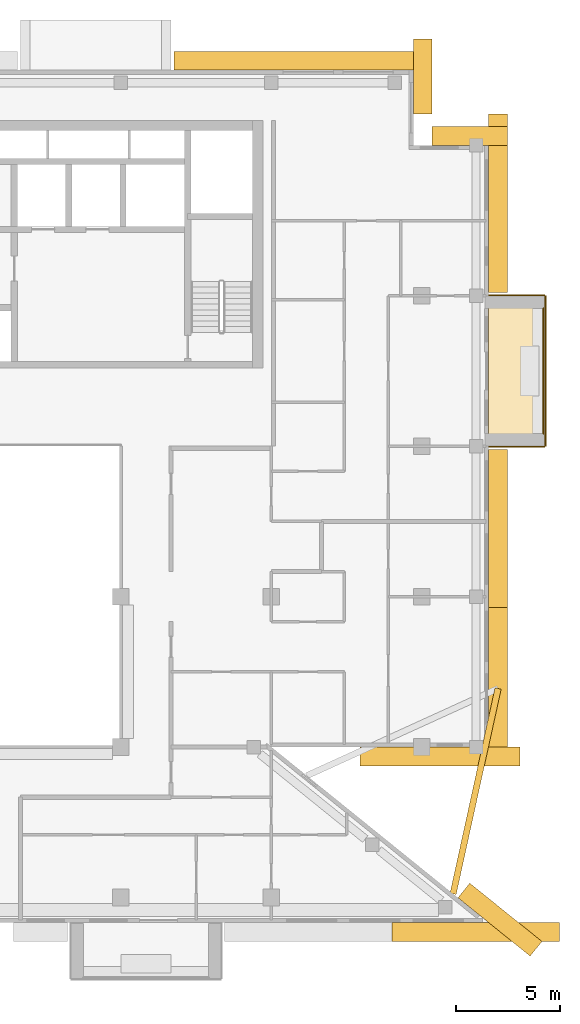
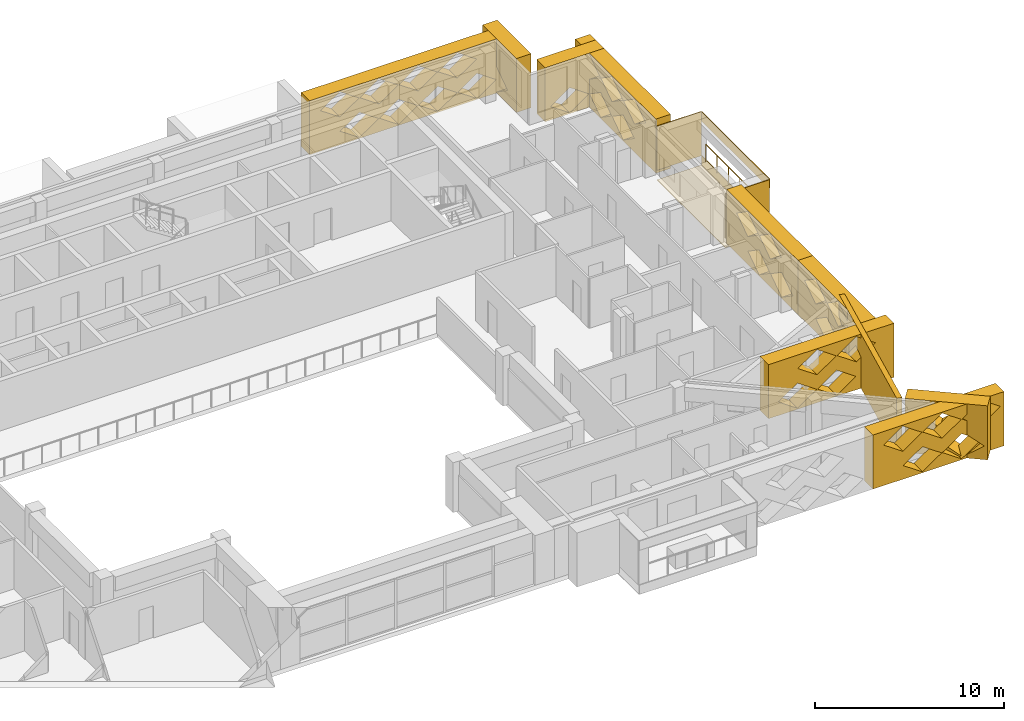
# One storey, part 19 of 19: 15 coverings, 1 railing.
"""IFC4 building model written with IfcOpenShell, lengths in metres."""

from ifc_helpers import new_model, si_unit, direction, frame, origin, origin_2d, place, context, subcontext, project, spatial, polyline, circle, outline, extrude, material, layer, layer_set, type_object, element, save


model = new_model("IFC4")

# Units and contexts
model_context = context("Model", 3, precision=1e-05, world=origin(), true_north=direction((0.0, 1.0)))
body_context = subcontext(model_context, "Body", "Model", "MODEL_VIEW")
ifc_project = project(units=[si_unit("LENGTHUNIT", "METRE"), si_unit("AREAUNIT", "SQUARE_METRE"), si_unit("VOLUMEUNIT", "CUBIC_METRE"), si_unit("PLANEANGLEUNIT", "RADIAN"), si_unit("MASSUNIT", "GRAM", prefix="KILO")], contexts=[model_context])

# Site, building, storey
site_placement = place(None, origin())
site = spatial("IfcSite", under=ifc_project, at=site_placement, CompositionType="ELEMENT")
building_placement = place(site_placement, origin())
building = spatial("IfcBuilding", under=site, at=building_placement, Name="Saffron Iwan Residences", CompositionType="ELEMENT")
storey_placement = place(building_placement, frame((0.0, 0.0, 250.0)))
storey = spatial("IfcBuildingStorey", under=building, at=storey_placement, Name="L67", CompositionType="ELEMENT", Elevation=250.0)

# Railing
ifc_material_1 = material(Name="Stainless steel 316", Category="steel")
railing_type = type_object("IfcRailingType", Name="BALCONY GUARD 1150", PredefinedType="GUARDRAIL", material=ifc_material_1)
railing_placement = place(storey_placement, frame((85.02490234375, 63.0, 0.0)))
element("IfcRailing", 1, at=railing_placement, inside=storey, type_object=railing_type, Name="Balcony guard L67 F2-0", PredefinedType="GUARDRAIL", context=body_context, shape_type="SweptSolid", body=[
    extrude(circle(Radius=0.02392578125, at=origin_2d()), frame((0.0, 0.0, 1.1259765625), z_axis=(0.0, 1.0, 0.0), x_axis=(-1.0, 0.0, 0.0)), (0.0, 0.0, 1.0), 6.0),
    extrude(circle(Radius=0.02099609375, at=origin_2d()), origin(), (0.0, 0.0, 1.0), 1.101806640625),
    extrude(circle(Radius=0.02099609375, at=origin_2d()), frame((0.0, 1.199951171875, 0.0)), (0.0, 0.0, 1.0), 1.101806640625),
    extrude(circle(Radius=0.02099609375, at=origin_2d()), frame((0.0, 2.39990234375, 0.0)), (0.0, 0.0, 1.0), 1.101806640625),
    extrude(circle(Radius=0.02099609375, at=origin_2d()), frame((0.0, 3.60009765625, 0.0)), (0.0, 0.0, 1.0), 1.101806640625),
    extrude(circle(Radius=0.02099609375, at=origin_2d()), frame((0.0, 4.800048828125, 0.0)), (0.0, 0.0, 1.0), 1.101806640625),
    extrude(circle(Radius=0.02099609375, at=origin_2d()), frame((0.0, 6.0, 0.0)), (0.0, 0.0, 1.0), 1.101806640625),
])

# Coverings
ifc_material_2 = material(Name="Precast concrete C40/50 white painted", Category="concrete")
ifc_layer_1 = layer(ifc_material_2, 0.050048828125)
ifc_layer_set_1 = layer_set([ifc_layer_1], Name="Precast concrete C40/50 white painted")
covering_type_1 = type_object("IfcCoveringType", Name="FRAME SKIN PRECAST WHITE 50", PredefinedType="CLADDING", material=ifc_layer_set_1)
for number, where, name in (
    (2, (0.0, 0.0, -0.60009765625), "Frame skin slab edge L67 F2-0"),
    (3, (0.0, 0.0, 2.25), "Frame skin fascia L67 F2-0"),
):
    element("IfcCovering", number, at=place(storey_placement, frame(where)), inside=storey, type_object=covering_type_1, Name=name, PredefinedType="CLADDING", context=body_context, shape_type="SweptSolid", body=[
        extrude(outline(polyline([(85.14990234375, 62.39990234375), (85.14990234375, 69.60009765625), (85.10009765625, 69.60009765625), (85.10009765625, 62.39990234375), (85.14990234375, 62.39990234375)])), origin(), (0.0, 0.0, 1.0), 0.60009765625),
    ])
covering_1_placement = place(storey_placement, frame((0.0, 0.0, -0.64990234375)))
element("IfcCovering", 4, at=covering_1_placement, inside=storey, type_object=covering_type_1, Name="Frame skin soffit L67 F2-0", PredefinedType="CLADDING", context=body_context, shape_type="SweptSolid", body=[
    extrude(outline(polyline([(85.10009765625, 62.39990234375), (85.10009765625, 69.60009765625), (82.39990234375, 69.60009765625), (82.39990234375, 62.39990234375), (85.10009765625, 62.39990234375)])), origin(), (0.0, 0.0, 1.0), 0.0498046875),
])
covering_2_placement = place(storey_placement, origin())
element("IfcCovering", 5, at=covering_2_placement, inside=storey, type_object=covering_type_1, Name="Frame skin fin L67 F2-0a", PredefinedType="CLADDING", context=body_context, shape_type="SweptSolid", body=[
    extrude(outline(polyline([(85.10009765625, 62.35009765625), (85.10009765625, 62.39990234375), (82.39990234375, 62.39990234375), (82.39990234375, 62.35009765625), (85.10009765625, 62.35009765625)])), origin(), (0.0, 0.0, 1.0), 2.85009765625),
])
covering_3_placement = place(storey_placement, origin())
element("IfcCovering", 6, at=covering_3_placement, inside=storey, type_object=covering_type_1, Name="Frame skin fin L67 F2-0b", PredefinedType="CLADDING", context=body_context, shape_type="SweptSolid", body=[
    extrude(outline(polyline([(85.10009765625, 69.60009765625), (85.10009765625, 69.64990234375), (82.39990234375, 69.64990234375), (82.39990234375, 69.60009765625), (85.10009765625, 69.60009765625)])), origin(), (0.0, 0.0, 1.0), 2.85009765625),
])
ifc_material_3 = material(Name="Precast concrete C40/50", Category="concrete")
covering_type_2 = type_object("IfcCoveringType", Name="OUTER SKIN LATTICE SCREEN", PredefinedType="CLADDING", material=ifc_material_3)
covering_4_placement = place(storey_placement, frame((84.387939453125, 37.994384765625, -0.280029296875), z_axis=(0.628558089533, 0.777762642509, 0.0), x_axis=(-0.777762642509, 0.628558089533, 0.0)))
element("IfcCovering", 7, at=covering_4_placement, inside=storey, type_object=covering_type_2, Name="OUTER SKIN lattice screen L67 F0.0", PredefinedType="CLADDING", context=body_context, shape_type="SweptSolid", body=[
    extrude(outline(polyline([(0.0, 0.0), (4.439697265625, 0.0), (4.439697265625, 3.5), (0.0, 3.5), (0.0, 0.0)]), holes=[polyline([(0.175537109375, 0.875), (1.35546875, 0.06005859375), (2.535400390625, 0.875), (1.35546875, 1.68994140625), (0.175537109375, 0.875)]), polyline([(1.37548828125, 2.625), (2.555419921875, 1.81005859375), (3.735595703125, 2.625), (2.555419921875, 3.43994140625), (1.37548828125, 2.625)])]), origin(), (0.0, 0.0, 1.0), 0.89990234375),
])
covering_5_placement = place(storey_placement, frame((76.235595703125, 48.0, -0.280029296875), z_axis=(0.0, -1.0, 0.0), x_axis=(1.0, 0.0, 0.0)))
element("IfcCovering", 8, at=covering_5_placement, inside=storey, type_object=covering_type_2, Name="OUTER SKIN lattice screen L67 F1.0", PredefinedType="CLADDING", context=body_context, shape_type="SweptSolid", body=[
    extrude(outline(polyline([(0.0, 0.0), (7.66455078125, 0.0), (7.66455078125, 3.5), (0.0, 3.5), (0.0, 0.0)]), holes=[polyline([(0.58447265625, 0.875), (1.764404296875, 0.06005859375), (2.944580078125, 0.875), (1.764404296875, 1.68994140625), (0.58447265625, 0.875)]), polyline([(2.984619140625, 0.875), (4.16455078125, 0.06005859375), (5.344482421875, 0.875), (4.16455078125, 1.68994140625), (2.984619140625, 0.875)]), polyline([(1.784423828125, 2.625), (2.964599609375, 1.81005859375), (4.14453125, 2.625), (2.964599609375, 3.43994140625), (1.784423828125, 2.625)]), polyline([(4.1845703125, 2.625), (5.364501953125, 1.81005859375), (6.54443359375, 2.625), (5.364501953125, 3.43994140625), (4.1845703125, 2.625)])]), origin(), (0.0, 0.0, 1.0), 0.89990234375),
])
covering_6_placement = place(storey_placement, frame((82.39990234375, 47.10009765625, -0.280029296875), z_axis=(1.0, 0.0, 0.0), x_axis=(0.0, 1.0, 0.0)))
element("IfcCovering", 9, at=covering_6_placement, inside=storey, type_object=covering_type_2, Name="OUTER SKIN lattice screen L67 F2.0", PredefinedType="CLADDING", context=body_context, shape_type="SweptSolid", body=[
    extrude(outline(polyline([(0.0, 0.0), (7.574951171875, 0.0), (7.574951171875, 3.5), (0.0, 3.5), (0.0, 0.0)]), holes=[polyline([(0.919921875, 0.875), (2.10009765625, 0.06005859375), (3.280029296875, 0.875), (2.10009765625, 1.68994140625), (0.919921875, 0.875)]), polyline([(3.320068359375, 0.875), (4.5, 0.06005859375), (5.679931640625, 0.875), (4.5, 1.68994140625), (3.320068359375, 0.875)]), polyline([(2.1201171875, 2.625), (3.300048828125, 1.81005859375), (4.47998046875, 2.625), (3.300048828125, 3.43994140625), (2.1201171875, 2.625)]), polyline([(4.52001953125, 2.625), (5.699951171875, 1.81005859375), (6.8798828125, 2.625), (5.699951171875, 3.43994140625), (4.52001953125, 2.625)])]), origin(), (0.0, 0.0, 1.0), 0.900146484375),
])
covering_7_placement = place(storey_placement, frame((82.39990234375, 54.675048828125, -0.280029296875), z_axis=(1.0, 0.0, 0.0), x_axis=(0.0, 1.0, 0.0)))
element("IfcCovering", 10, at=covering_7_placement, inside=storey, type_object=covering_type_2, Name="OUTER SKIN lattice screen L67 F2.1", PredefinedType="CLADDING", context=body_context, shape_type="SweptSolid", body=[
    extrude(outline(polyline([(0.0, 0.0), (7.574951171875, 0.0), (7.574951171875, 3.5), (0.0, 3.5), (0.0, 0.0)]), holes=[polyline([(0.544921875, 0.875), (1.72509765625, 0.06005859375), (2.905029296875, 0.875), (1.72509765625, 1.68994140625), (0.544921875, 0.875)]), polyline([(2.945068359375, 0.875), (4.125, 0.06005859375), (5.304931640625, 0.875), (4.125, 1.68994140625), (2.945068359375, 0.875)]), polyline([(1.7451171875, 2.625), (2.925048828125, 1.81005859375), (4.10498046875, 2.625), (2.925048828125, 3.43994140625), (1.7451171875, 2.625)]), polyline([(4.14501953125, 2.625), (5.324951171875, 1.81005859375), (6.5048828125, 2.625), (5.324951171875, 3.43994140625), (4.14501953125, 2.625)])]), origin(), (0.0, 0.0, 1.0), 0.900146484375),
])
covering_8_placement = place(storey_placement, frame((82.39990234375, 69.75, -0.280029296875), z_axis=(1.0, 0.0, 0.0), x_axis=(0.0, 1.0, 0.0)))
element("IfcCovering", 11, at=covering_8_placement, inside=storey, type_object=covering_type_2, Name="OUTER SKIN lattice screen L67 F2.2", PredefinedType="CLADDING", context=body_context, shape_type="SweptSolid", body=[
    extrude(outline(polyline([(0.0, 0.0), (8.550048828125, 0.0), (8.550048828125, 3.5), (0.0, 3.5), (0.0, 0.0)]), holes=[polyline([(2.27001953125, 0.875), (3.449951171875, 0.06005859375), (4.6298828125, 0.875), (3.449951171875, 1.68994140625), (2.27001953125, 0.875)]), polyline([(4.669921875, 0.875), (5.85009765625, 0.06005859375), (7.030029296875, 0.875), (5.85009765625, 1.68994140625), (4.669921875, 0.875)]), polyline([(1.070068359375, 2.625), (2.25, 1.81005859375), (3.429931640625, 2.625), (2.25, 3.43994140625), (1.070068359375, 2.625)]), polyline([(3.469970703125, 2.625), (4.64990234375, 1.81005859375), (5.830078125, 2.625), (4.64990234375, 3.43994140625), (3.469970703125, 2.625)]), polyline([(5.8701171875, 2.625), (7.050048828125, 1.81005859375), (8.22998046875, 2.625), (7.050048828125, 3.43994140625), (5.8701171875, 2.625)])]), origin(), (0.0, 0.0, 1.0), 0.900146484375),
])
for number, where, z_axis, x_axis, name in (
    (12, (83.300048828125, 76.800048828125, -0.280029296875), (0.0, 1.0, 0.0), (-1.0, 0.0, 0.0), "OUTER SKIN lattice screen L67 F3.0"),
    (13, (78.800048828125, 78.300048828125, -0.280029296875), (1.0, 0.0, 0.0), (0.0, 1.0, 0.0), "OUTER SKIN lattice screen L67 F4.0"),
):
    element("IfcCovering", number, at=place(storey_placement, frame(where, z_axis=z_axis, x_axis=x_axis)), inside=storey, type_object=covering_type_2, Name=name, PredefinedType="CLADDING", context=body_context, shape_type="SweptSolid", body=[
        extrude(outline(polyline([(0.0, 0.0), (3.60009765625, 0.0), (3.60009765625, 3.5), (0.0, 3.5), (0.0, 0.0)]), holes=[polyline([(0.919921875, 0.875), (2.10009765625, 0.06005859375), (3.280029296875, 0.875), (2.10009765625, 1.68994140625), (0.919921875, 0.875)])]), origin(), (0.0, 0.0, 1.0), 0.89990234375),
    ])
covering_9_placement = place(storey_placement, frame((79.699951171875, 80.39990234375, -0.280029296875), z_axis=(0.0, 1.0, 0.0), x_axis=(-1.0, 0.0, 0.0)))
element("IfcCovering", 14, at=covering_9_placement, inside=storey, type_object=covering_type_2, Name="OUTER SKIN lattice screen L67 F5.0", PredefinedType="CLADDING", context=body_context, shape_type="SweptSolid", body=[
    extrude(outline(polyline([(0.0, 0.0), (12.35009765625, 0.0), (12.35009765625, 3.5), (0.0, 3.5), (0.0, 0.0)]), holes=[polyline([(0.919921875, 0.875), (2.10009765625, 0.06005859375), (3.280029296875, 0.875), (2.10009765625, 1.68994140625), (0.919921875, 0.875)]), polyline([(3.320068359375, 0.875), (4.5, 0.06005859375), (5.679931640625, 0.875), (4.5, 1.68994140625), (3.320068359375, 0.875)]), polyline([(5.719970703125, 0.875), (6.89990234375, 0.06005859375), (8.080078125, 0.875), (6.89990234375, 1.68994140625), (5.719970703125, 0.875)]), polyline([(8.1201171875, 0.875), (9.300048828125, 0.06005859375), (10.47998046875, 0.875), (9.300048828125, 1.68994140625), (8.1201171875, 0.875)]), polyline([(2.1201171875, 2.625), (3.300048828125, 1.81005859375), (4.47998046875, 2.625), (3.300048828125, 3.43994140625), (2.1201171875, 2.625)]), polyline([(4.52001953125, 2.625), (5.699951171875, 1.81005859375), (6.8798828125, 2.625), (5.699951171875, 3.43994140625), (4.52001953125, 2.625)]), polyline([(6.919921875, 2.625), (8.10009765625, 1.81005859375), (9.280029296875, 2.625), (8.10009765625, 3.43994140625), (6.919921875, 2.625)]), polyline([(9.320068359375, 2.625), (10.5, 1.81005859375), (11.679931640625, 2.625), (10.5, 3.43994140625), (9.320068359375, 2.625)])]), origin(), (0.0, 0.0, 1.0), 0.900146484375),
])
covering_10_placement = place(storey_placement, frame((77.772705078125, 39.60009765625, -0.280029296875), z_axis=(0.0, -1.0, 0.0), x_axis=(1.0, 0.0, 0.0)))
element("IfcCovering", 15, at=covering_10_placement, inside=storey, type_object=covering_type_2, Name="OUTER SKIN lattice screen L67 F11.4", PredefinedType="CLADDING", context=body_context, shape_type="SweptSolid", body=[
    extrude(outline(polyline([(0.0, 0.0), (8.022705078125, 0.0), (8.022705078125, 3.5), (0.0, 3.5), (0.0, 0.0)]), holes=[polyline([(1.84716796875, 0.875), (3.027099609375, 0.06005859375), (4.207275390625, 0.875), (3.027099609375, 1.68994140625), (1.84716796875, 0.875)]), polyline([(4.247314453125, 0.875), (5.42724609375, 0.06005859375), (6.607421875, 0.875), (5.42724609375, 1.68994140625), (4.247314453125, 0.875)]), polyline([(0.647216796875, 2.625), (1.8271484375, 1.81005859375), (3.007080078125, 2.625), (1.8271484375, 3.43994140625), (0.647216796875, 2.625)]), polyline([(3.047119140625, 2.625), (4.227294921875, 1.81005859375), (5.4072265625, 2.625), (4.227294921875, 3.43994140625), (3.047119140625, 2.625)]), polyline([(5.447265625, 2.625), (6.627197265625, 1.81005859375), (7.807373046875, 2.625), (6.627197265625, 3.43994140625), (5.447265625, 2.625)])]), origin(), (0.0, 0.0, 1.0), 0.900146484375),
])
ifc_layer_2 = layer(ifc_material_2, 0.300048828125)
ifc_layer_set_2 = layer_set([ifc_layer_2], Name="Precast concrete C40/50 white painted")
covering_type_3 = type_object("IfcCoveringType", Name="PROW NOSE BLADE PRECAST WHITE", PredefinedType="CLADDING", material=ifc_layer_set_2)
covering_11_placement = place(storey_placement, frame((0.0, 0.0, -0.280029296875)))
element("IfcCovering", 16, at=covering_11_placement, inside=storey, type_object=covering_type_3, Name="Prow nose blade L67 a", PredefinedType="CLADDING", context=body_context, shape_type="SweptSolid", body=[
    extrude(outline(polyline([(80.847412109375, 40.9404296875), (83.001708984375, 50.769287109375), (82.70849609375, 50.83349609375), (80.55419921875, 41.004638671875), (80.847412109375, 40.9404296875)])), origin(), (0.0, 0.0, 1.0), 3.5),
])

save(model, "model.ifc")
